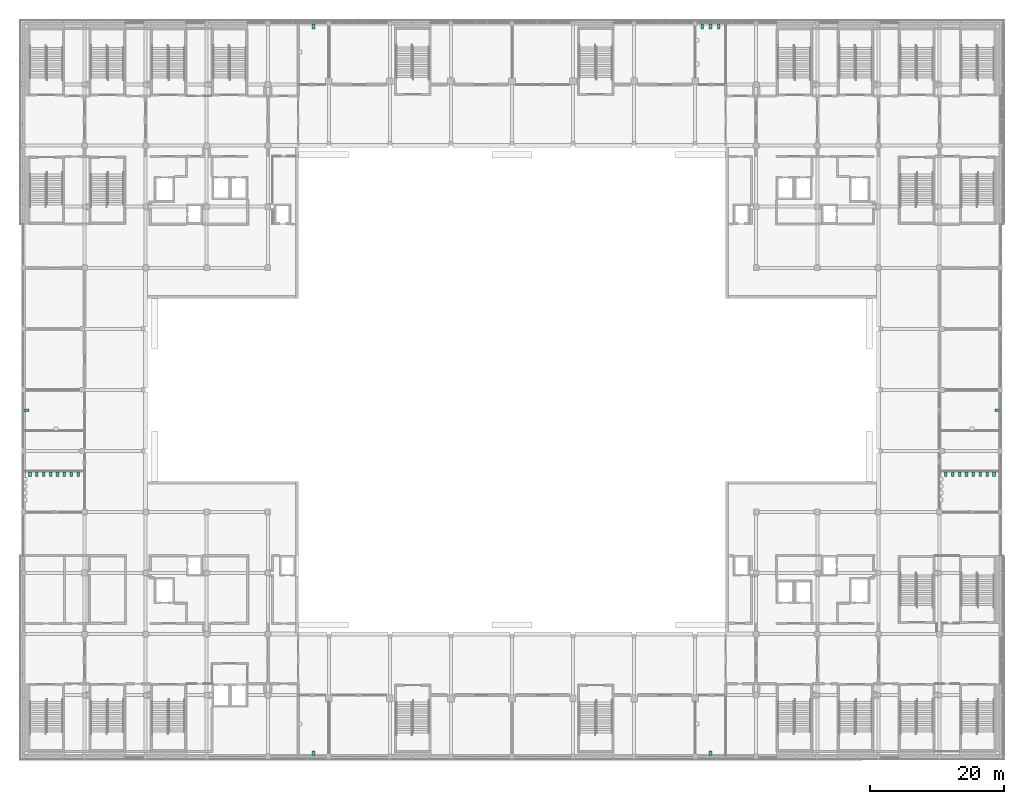
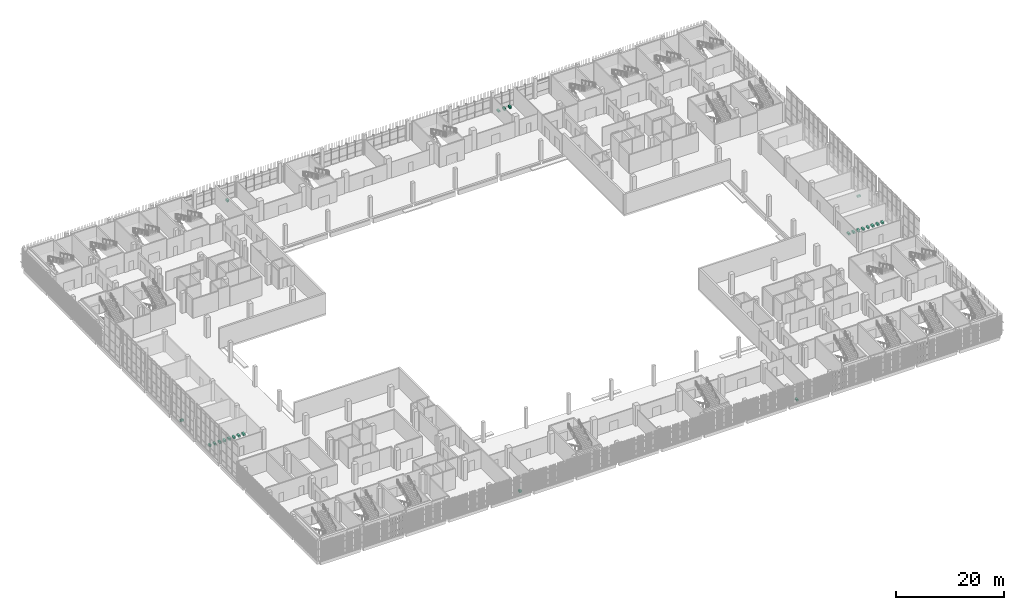
# One storey, part 126 of 126: 24 sanitary terminals.
"""IFC4 building model written with IfcOpenShell, lengths in metres."""

from ifc_helpers import new_model, si_unit, direction, frame, origin, origin_2d, place, context, subcontext, project, spatial, rectangle, extrude, element, save


model = new_model("IFC4")

# Units and contexts
model_context = context("Model", 3, precision=1e-05, world=origin(), true_north=direction((0.0, 1.0)))
body_context = subcontext(model_context, "Body", "Model", "MODEL_VIEW")
ifc_project = project(units=[si_unit("LENGTHUNIT", "METRE"), si_unit("AREAUNIT", "SQUARE_METRE"), si_unit("VOLUMEUNIT", "CUBIC_METRE"), si_unit("PLANEANGLEUNIT", "RADIAN"), si_unit("MASSUNIT", "GRAM", prefix="KILO")], contexts=[model_context])

# Site, building, storey
site_placement = place(None, origin())
site = spatial("IfcSite", under=ifc_project, at=site_placement, CompositionType="ELEMENT")
building_placement = place(site_placement, origin())
building = spatial("IfcBuilding", under=site, at=building_placement, Name="Shirokan Park Arena", CompositionType="ELEMENT")
storey_placement = place(building_placement, frame((0.0, 0.0, 6.3701171875)))
storey = spatial("IfcBuildingStorey", under=building, at=storey_placement, Name="L01", CompositionType="ELEMENT", Elevation=6.3701171875)

# Sanitary terminals
for number, where, z_axis, x_axis, name in (
    (1, (43.22509765625, 108.75, 0.0), (0.0, 0.0, 1.0), (1.0, 0.0, 0.0), "Water closet Accessible WC 1.31"),
    (2, (101.158203125, 108.75, 0.0), (0.0, 0.0, 1.0), (1.0, 0.0, 0.0), "Water closet Men's WC 1.36"),
    (3, (102.375, 108.75, 0.0), (0.0, 0.0, 1.0), (1.0, 0.0, 0.0), "Water closet Men's WC 1.36"),
    (4, (103.591796875, 108.75, 0.0), (0.0, 0.0, 1.0), (1.0, 0.0, 0.0), "Water closet Men's WC 1.36"),
    (5, (43.22509765625, 0.449951171875, 0.0), (0.0, 0.0, 1.0), (1.0, 0.0, 0.0), "Water closet Accessible WC 1.11"),
    (6, (102.375, 0.449951171875, 0.0), (0.0, 0.0, 1.0), (1.0, 0.0, 0.0), "Water closet Accessible WC 1.16"),
    (7, (137.46240234375, 42.0166015625, 0.0), (0.0, 0.0, 1.0), (1.0, 0.0, 0.0), "Water closet Men's WC 1.21"),
    (8, (138.487548828125, 42.0166015625, 0.0), (0.0, 0.0, 1.0), (1.0, 0.0, 0.0), "Water closet Men's WC 1.21"),
    (9, (139.512451171875, 42.0166015625, 0.0), (0.0, 0.0, 1.0), (1.0, 0.0, 0.0), "Water closet Men's WC 1.21"),
    (10, (140.53759765625, 42.0166015625, 0.0), (0.0, 0.0, 1.0), (1.0, 0.0, 0.0), "Water closet Men's WC 1.21"),
    (11, (141.5625, 42.0166015625, 0.0), (0.0, 0.0, 1.0), (1.0, 0.0, 0.0), "Water closet Men's WC 1.21"),
    (12, (142.58740234375, 42.0166015625, 0.0), (0.0, 0.0, 1.0), (1.0, 0.0, 0.0), "Water closet Men's WC 1.21"),
    (13, (143.612548828125, 42.0166015625, 0.0), (0.0, 0.0, 1.0), (1.0, 0.0, 0.0), "Water closet Men's WC 1.21"),
    (14, (144.637451171875, 42.0166015625, 0.0), (0.0, 0.0, 1.0), (1.0, 0.0, 0.0), "Water closet Men's WC 1.21"),
):
    element("IfcSanitaryTerminal", number, at=place(storey_placement, frame(where, z_axis=z_axis, x_axis=x_axis)), inside=storey, Name=name, PredefinedType="TOILETPAN", context=body_context, shape_type="SweptSolid", body=[
        extrude(rectangle(XDim=0.39990234375, YDim=0.699951171875, at=origin_2d()), origin(), (0.0, 0.0, 1.0), 0.39990234375),
    ])
sanitary_terminal_1_placement = place(storey_placement, frame((145.14990234375, 51.566650390625, 0.0), z_axis=(0.0, 0.0, 1.0), x_axis=(1.0, 0.0, 0.0)))
element("IfcSanitaryTerminal", 15, at=sanitary_terminal_1_placement, inside=storey, Name="Water closet Accessible WC 1.23", PredefinedType="TOILETPAN", context=body_context, shape_type="SweptSolid", body=[
    extrude(rectangle(XDim=0.699951171875, YDim=0.39990234375, at=origin_2d()), origin(), (0.0, 0.0, 1.0), 0.39990234375),
])
for number, where, z_axis, x_axis, name in (
    (16, (0.96240234375, 42.0166015625, 0.0), (0.0, 0.0, 1.0), (1.0, 0.0, 0.0), "Water closet Men's WC 1.11"),
    (17, (1.987548828125, 42.0166015625, 0.0), (0.0, 0.0, 1.0), (1.0, 0.0, 0.0), "Water closet Men's WC 1.11"),
    (18, (3.012451171875, 42.0166015625, 0.0), (0.0, 0.0, 1.0), (1.0, 0.0, 0.0), "Water closet Men's WC 1.11"),
    (19, (4.03759765625, 42.0166015625, 0.0), (0.0, 0.0, 1.0), (1.0, 0.0, 0.0), "Water closet Men's WC 1.11"),
    (20, (5.0625, 42.0166015625, 0.0), (0.0, 0.0, 1.0), (1.0, 0.0, 0.0), "Water closet Men's WC 1.11"),
    (21, (6.08740234375, 42.0166015625, 0.0), (0.0, 0.0, 1.0), (1.0, 0.0, 0.0), "Water closet Men's WC 1.11"),
    (22, (7.112548828125, 42.0166015625, 0.0), (0.0, 0.0, 1.0), (1.0, 0.0, 0.0), "Water closet Men's WC 1.11"),
    (23, (8.137451171875, 42.0166015625, 0.0), (0.0, 0.0, 1.0), (1.0, 0.0, 0.0), "Water closet Men's WC 1.11"),
):
    element("IfcSanitaryTerminal", number, at=place(storey_placement, frame(where, z_axis=z_axis, x_axis=x_axis)), inside=storey, Name=name, PredefinedType="TOILETPAN", context=body_context, shape_type="SweptSolid", body=[
        extrude(rectangle(XDim=0.39990234375, YDim=0.699951171875, at=origin_2d()), origin(), (0.0, 0.0, 1.0), 0.39990234375),
    ])
sanitary_terminal_2_placement = place(storey_placement, frame((0.449951171875, 51.566650390625, 0.0), z_axis=(0.0, 0.0, 1.0), x_axis=(1.0, 0.0, 0.0)))
element("IfcSanitaryTerminal", 24, at=sanitary_terminal_2_placement, inside=storey, Name="Water closet Accessible WC 1.13", PredefinedType="TOILETPAN", context=body_context, shape_type="SweptSolid", body=[
    extrude(rectangle(XDim=0.699951171875, YDim=0.39990234375, at=origin_2d()), origin(), (0.0, 0.0, 1.0), 0.39990234375),
])

save(model, "model.ifc")
